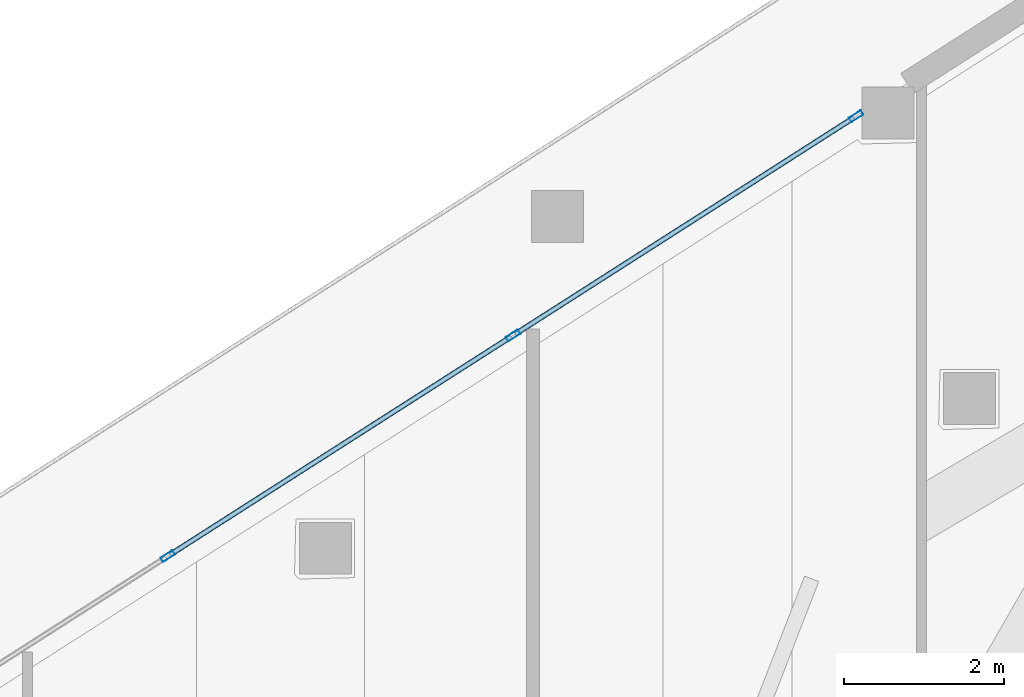
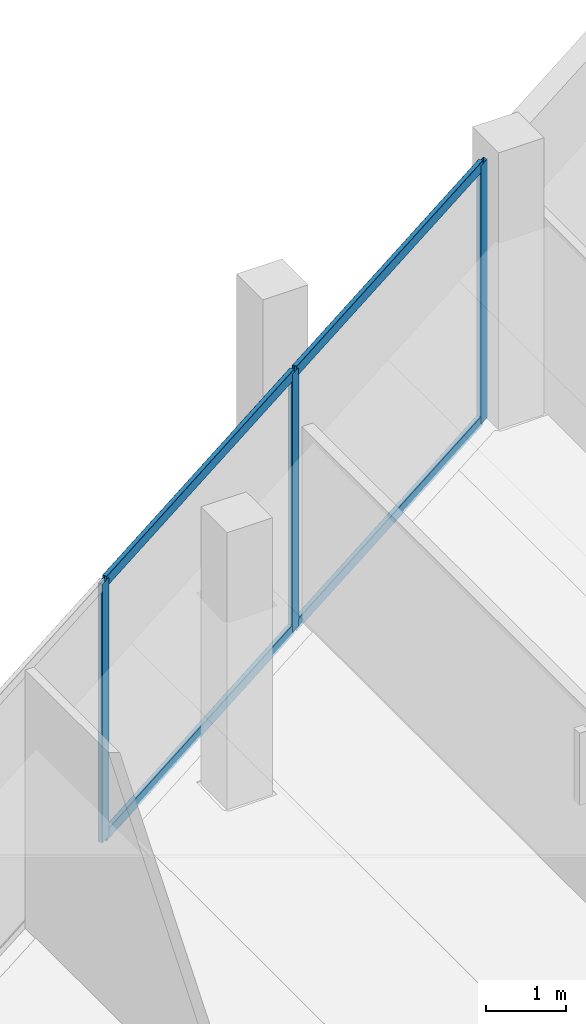
# One storey, part 20 of 45: 7 members, 1 element without a shape of its own.
"""IFC4 building model written with IfcOpenShell, lengths in metres."""

from ifc_helpers import new_model, si_unit, direction, frame, origin, origin_2d, place, context, subcontext, project, spatial, hollow_rectangle, extrude, material, layer, layer_set, material_profile, profile_set, type_object, element, aggregate, save


model = new_model("IFC4")

# Units and contexts
model_context = context("Model", 3, precision=1e-05, world=origin(), true_north=direction((0.0, 1.0)))
body_context = subcontext(model_context, "Body", "Model", "MODEL_VIEW")
ifc_project = project(units=[si_unit("LENGTHUNIT", "METRE"), si_unit("AREAUNIT", "SQUARE_METRE"), si_unit("VOLUMEUNIT", "CUBIC_METRE"), si_unit("PLANEANGLEUNIT", "RADIAN"), si_unit("MASSUNIT", "GRAM", prefix="KILO")], contexts=[model_context])

# Site, building, storey
site_placement = place(None, origin())
site = spatial("IfcSite", under=ifc_project, at=site_placement, CompositionType="ELEMENT")
building_placement = place(site_placement, origin())
building = spatial("IfcBuilding", under=site, at=building_placement, Name="Qorvath Tower", CompositionType="ELEMENT")
storey_placement = place(building_placement, frame((0.0, 0.0, 66.0)))
storey = spatial("IfcBuildingStorey", under=building, at=storey_placement, Name="L14", CompositionType="ELEMENT", Elevation=66.0)

# Curtain wall, members
ifc_material_1 = material(Name="Anodised aluminium and triple low-E glass", Category="aluminium")
ifc_layer = layer(ifc_material_1, 0.179931640625)
ifc_layer_set = layer_set([ifc_layer], Name="CW-SYS-2")
curtain_wall_type = type_object("IfcCurtainWallType", Name="CW-SYS-2", PredefinedType="NOTDEFINED", material=ifc_layer_set)
curtain_wall_placement = place(storey_placement, origin())
curtain_wall = element("IfcCurtainWall", 1, at=curtain_wall_placement, inside=storey, type_object=curtain_wall_type, Name="Curtain Wall CW-2 CW-T-L14-16.2", PredefinedType="NOTDEFINED")
ifc_material_2 = material(Name="Anodised aluminium 6063-T6", Category="aluminium")
ifc_material_profile_1 = material_profile(ifc_material_2, hollow_rectangle(XDim=0.06494140625, YDim=0.179931640625, WallThickness=0.00341796875, InnerFilletRadius=0.00341796875, OuterFilletRadius=0.007080078125, at=origin_2d()), Name="CWM 180x65")
ifc_profile_set_1 = profile_set([ifc_material_profile_1], Name="Anodised aluminium 6063-T6")
member_type_1 = type_object("IfcMemberType", Name="CWM-180", PredefinedType="MULLION", material=ifc_profile_set_1)
member_1_placement = place(storey_placement, frame((-18.3974609375, 30.462890625, 0.0), z_axis=(0.0, 0.0, 1.0), x_axis=(0.538542221685, -0.842598525671, 0.0)))
member_1 = element("IfcMember", 2, at=member_1_placement, type_object=member_type_1, Name="CW-2 mullion 1", PredefinedType="MULLION", context=body_context, shape_type="SweptSolid", body=[
    extrude(hollow_rectangle(XDim=0.06494140625, YDim=0.179931640625, WallThickness=0.00341796875, InnerFilletRadius=0.00341796875, OuterFilletRadius=0.007080078125, at=origin_2d()), origin(), (0.0, 0.0, 1.0), 3.919921875),
])
member_2_placement = place(storey_placement, frame((-22.6884765625, 27.720458984375, 0.0), z_axis=(0.0, 0.0, 1.0), x_axis=(0.538542221685, -0.842598525671, 0.0)))
member_2 = element("IfcMember", 3, at=member_2_placement, type_object=member_type_1, Name="CW-2 mullion 2", PredefinedType="MULLION", context=body_context, shape_type="SweptSolid", body=[
    extrude(hollow_rectangle(XDim=0.06494140625, YDim=0.179931640625, WallThickness=0.00341796875, InnerFilletRadius=0.00341796875, OuterFilletRadius=0.007080078125, at=origin_2d()), origin(), (0.0, 0.0, 1.0), 3.919921875),
])
member_3_placement = place(storey_placement, frame((-27.007080078125, 24.960205078125, 0.0), z_axis=(0.0, 0.0, 1.0), x_axis=(0.538542221685, -0.842598525671, 0.0)))
member_3 = element("IfcMember", 4, at=member_3_placement, type_object=member_type_1, Name="CW-2 mullion 3", PredefinedType="MULLION", context=body_context, shape_type="SweptSolid", body=[
    extrude(hollow_rectangle(XDim=0.06494140625, YDim=0.179931640625, WallThickness=0.00341796875, InnerFilletRadius=0.00341796875, OuterFilletRadius=0.007080078125, at=origin_2d()), origin(), (0.0, 0.0, 1.0), 3.919921875),
])
ifc_material_3 = material(Name="Anodised aluminium 6063-T6", Category="aluminium")
ifc_material_profile_2 = material_profile(ifc_material_3, hollow_rectangle(XDim=0.06494140625, YDim=0.159912109375, WallThickness=0.00341796875, InnerFilletRadius=0.00341796875, OuterFilletRadius=0.007080078125, at=origin_2d()), Name="CWT 160x65")
ifc_profile_set_2 = profile_set([ifc_material_profile_2], Name="Anodised aluminium 6063-T6")
member_type_2 = type_object("IfcMemberType", Name="CWT-160", PredefinedType="USERDEFINED", material=ifc_profile_set_2)
member_4_placement = place(storey_placement, frame((-18.4248046875, 30.445556640625, 0.032470703125), z_axis=(-0.842586087681, -0.538561681562, 0.0), x_axis=(0.538561681562, -0.842586087681, 0.0)))
member_4 = element("IfcMember", 5, at=member_4_placement, type_object=member_type_2, Name="CW-2 transom 1.1", ObjectType="TRANSOM", PredefinedType="USERDEFINED", context=body_context, shape_type="SweptSolid", body=[
    extrude(hollow_rectangle(XDim=0.06494140625, YDim=0.159912109375, WallThickness=0.00341796875, InnerFilletRadius=0.00341796875, OuterFilletRadius=0.007080078125, at=origin_2d()), origin(), (0.0, 0.0, 1.0), 5.02783203125),
])
member_5_placement = place(storey_placement, frame((-18.4248046875, 30.445556640625, 3.887451171875), z_axis=(-0.842586087681, -0.538561681562, 0.0), x_axis=(0.538561681562, -0.842586087681, 0.0)))
member_5 = element("IfcMember", 6, at=member_5_placement, type_object=member_type_2, Name="CW-2 transom 1.2", ObjectType="TRANSOM", PredefinedType="USERDEFINED", context=body_context, shape_type="SweptSolid", body=[
    extrude(hollow_rectangle(XDim=0.06494140625, YDim=0.159912109375, WallThickness=0.00341796875, InnerFilletRadius=0.00341796875, OuterFilletRadius=0.007080078125, at=origin_2d()), origin(), (0.0, 0.0, 1.0), 5.02783203125),
])
member_6_placement = place(storey_placement, frame((-22.716064453125, 27.702880859375, 0.032470703125), z_axis=(-0.842598957411, -0.538541546188, 0.0), x_axis=(0.538541546188, -0.842598957411, 0.0)))
member_6 = element("IfcMember", 7, at=member_6_placement, type_object=member_type_2, Name="CW-2 transom 2.1", ObjectType="TRANSOM", PredefinedType="USERDEFINED", context=body_context, shape_type="SweptSolid", body=[
    extrude(hollow_rectangle(XDim=0.06494140625, YDim=0.159912109375, WallThickness=0.00341796875, InnerFilletRadius=0.00341796875, OuterFilletRadius=0.007080078125, at=origin_2d()), origin(), (0.0, 0.0, 1.0), 5.06005859375),
])
member_7_placement = place(storey_placement, frame((-22.716064453125, 27.702880859375, 3.887451171875), z_axis=(-0.842598957411, -0.538541546188, 0.0), x_axis=(0.538541546188, -0.842598957411, 0.0)))
member_7 = element("IfcMember", 8, at=member_7_placement, type_object=member_type_2, Name="CW-2 transom 2.2", ObjectType="TRANSOM", PredefinedType="USERDEFINED", context=body_context, shape_type="SweptSolid", body=[
    extrude(hollow_rectangle(XDim=0.06494140625, YDim=0.159912109375, WallThickness=0.00341796875, InnerFilletRadius=0.00341796875, OuterFilletRadius=0.007080078125, at=origin_2d()), origin(), (0.0, 0.0, 1.0), 5.06005859375),
])
aggregate(curtain_wall, [member_1, member_2, member_3, member_4, member_5, member_6, member_7])

save(model, "model.ifc")
